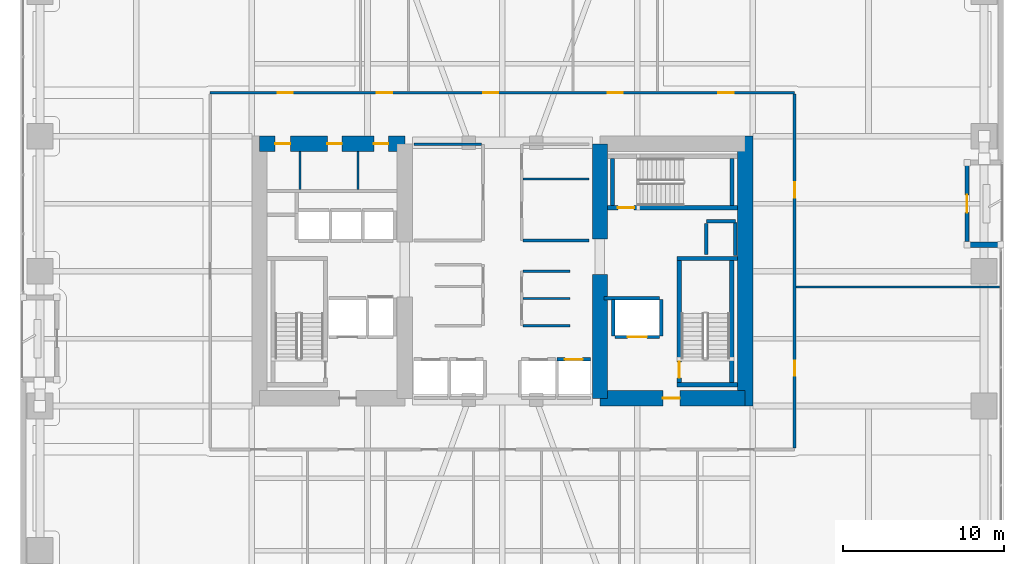
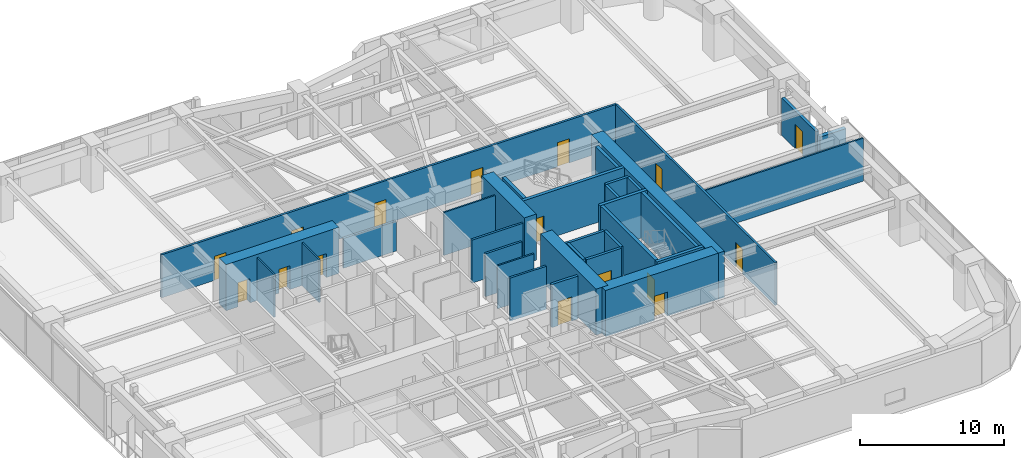
# One storey, part 24 of 29: 33 walls, 16 doors, 16 openings.
"""IFC4 building model written with IfcOpenShell, lengths in metres."""

from ifc_helpers import new_model, si_unit, direction, frame, frame_2d, origin, place, context, subcontext, project, spatial, rectangle, extrude, material, layer, layer_set, type_object, element, fill, save


model = new_model("IFC4")

# Units and contexts
model_context = context("Model", 3, precision=1e-05, world=origin(), true_north=direction((0.0, 1.0)))
body_context = subcontext(model_context, "Body", "Model", "MODEL_VIEW")
ifc_project = project(units=[si_unit("LENGTHUNIT", "METRE"), si_unit("AREAUNIT", "SQUARE_METRE"), si_unit("VOLUMEUNIT", "CUBIC_METRE"), si_unit("PLANEANGLEUNIT", "RADIAN"), si_unit("MASSUNIT", "GRAM", prefix="KILO")], contexts=[model_context])

# Site, building, storey
site_placement = place(None, origin())
site = spatial("IfcSite", under=ifc_project, at=site_placement, CompositionType="ELEMENT")
building_placement = place(site_placement, origin())
building = spatial("IfcBuilding", under=site, at=building_placement, Name="Kiyonajd Concourse Tower", CompositionType="ELEMENT")
storey_placement = place(building_placement, frame((0.0, 0.0, 48.89990234375)))
storey = spatial("IfcBuildingStorey", under=building, at=storey_placement, Name="L13", CompositionType="ELEMENT", Elevation=48.89990234375)

# Wall, openings, doors
ifc_material_1 = material(Name="Concrete C80/95", Category="concrete")
ifc_layer_1 = layer(ifc_material_1, 0.949951171875)
ifc_layer_set_1 = layer_set([ifc_layer_1], Name="Concrete C80/95")
wall_type_1 = type_object("IfcWallType", Name="WL-CORE-950", PredefinedType="SHEAR", material=ifc_layer_set_1)
wall_1_placement = place(storey_placement, frame((32.875, 43.925048828125, 0.0), z_axis=(0.0, 0.0, 1.0), x_axis=(1.0, 0.0, 0.0)))
wall_1 = element("IfcWall", 1, at=wall_1_placement, inside=storey, type_object=wall_type_1, Name="L13 West Core North Shear Wall", PredefinedType="SHEAR", context=body_context, shape_type="SweptSolid", body=[
    extrude(rectangle(XDim=9.050048828125, YDim=0.949951171875, at=frame_2d((4.52490234375, 0.0))), origin(), (0.0, 0.0, 1.0), 3.900146484375),
])
opening_1_placement = place(wall_1_placement, frame((0.97509765625, 0.0, 0.0)))
opening_1 = element("IfcOpeningElement", 2, at=opening_1_placement, cuts=wall_1, Name="Opening DI1", PredefinedType="OPENING", context=body_context, shape_type="SweptSolid", body=[
    extrude(rectangle(XDim=0.949951171875, YDim=2.0400390625, at=frame_2d((0.47509765625, 1.02001953125))), frame((0.0, 0.48486328125, 0.0), z_axis=(0.0, -1.0, 0.0), x_axis=(1.0, 0.0, 0.0)), (0.0, 0.0, 1.0), 0.969970703125),
])
opening_2_placement = place(wall_1_placement, frame((4.22509765625, 0.0, 0.0)))
opening_2 = element("IfcOpeningElement", 3, at=opening_2_placement, cuts=wall_1, Name="Opening DI2", PredefinedType="OPENING", context=body_context, shape_type="SweptSolid", body=[
    extrude(rectangle(XDim=0.89990234375, YDim=2.02001953125, at=frame_2d((0.449951171875, 1.010009765625))), frame((0.0, 0.48486328125, 0.0), z_axis=(0.0, -1.0, 0.0), x_axis=(1.0, 0.0, 0.0)), (0.0, 0.0, 1.0), 0.969970703125),
])
opening_3_placement = place(wall_1_placement, frame((7.125, 0.0, 0.0)))
opening_3 = element("IfcOpeningElement", 4, at=opening_3_placement, cuts=wall_1, Name="Opening DI2", PredefinedType="OPENING", context=body_context, shape_type="SweptSolid", body=[
    extrude(rectangle(XDim=0.89990234375, YDim=2.02001953125, at=frame_2d((0.449951171875, 1.010009765625))), frame((0.0, 0.48486328125, 0.0), z_axis=(0.0, -1.0, 0.0), x_axis=(1.0, 0.0, 0.0)), (0.0, 0.0, 1.0), 0.969970703125),
])
ifc_material_2 = material(Name="Natural Oak Acoustic Timber Veneer", Category="wood")
door_type_1 = type_object("IfcDoorType", Name="DR-INT-900", OperationType="NOTDEFINED", PredefinedType="DOOR", material=ifc_material_2)
door_1_placement = place(opening_2_placement, origin())
door_1 = element("IfcDoor", 5, at=door_1_placement, inside=storey, type_object=door_type_1, Name="L13 Male Restroom Door", OperationType="SINGLE_SWING_RIGHT", OverallHeight=2.02001953125, OverallWidth=0.89990234375, PredefinedType="DOOR", context=body_context, shape_type="SweptSolid", body=[
    extrude(rectangle(XDim=0.89990234375, YDim=2.02001953125, at=frame_2d((0.449951171875, 1.010009765625))), frame((0.0, 0.02490234375, 0.0), z_axis=(0.0, -1.0, 0.0), x_axis=(1.0, 0.0, 0.0)), (0.0, 0.0, 1.0), 0.050048828125),
])
fill(opening_2, door_1)
door_2_placement = place(opening_3_placement, origin())
door_2 = element("IfcDoor", 6, at=door_2_placement, inside=storey, type_object=door_type_1, Name="L13 Female Restroom Door", OperationType="SINGLE_SWING_LEFT", OverallHeight=2.02001953125, OverallWidth=0.89990234375, PredefinedType="DOOR", context=body_context, shape_type="SweptSolid", body=[
    extrude(rectangle(XDim=0.89990234375, YDim=2.02001953125, at=frame_2d((0.449951171875, 1.010009765625))), frame((0.0, 0.02490234375, 0.0), z_axis=(0.0, -1.0, 0.0), x_axis=(1.0, 0.0, 0.0)), (0.0, 0.0, 1.0), 0.050048828125),
])
fill(opening_3, door_2)
door_type_2 = type_object("IfcDoorType", Name="DR-INT-950", OperationType="NOTDEFINED", PredefinedType="DOOR", material=ifc_material_2)
door_3_placement = place(opening_1_placement, origin())
door_3 = element("IfcDoor", 7, at=door_3_placement, inside=storey, type_object=door_type_2, Name="L13 Single User Accessible WC Door", OperationType="SINGLE_SWING_LEFT", OverallHeight=2.0400390625, OverallWidth=0.949951171875, PredefinedType="DOOR", context=body_context, shape_type="SweptSolid", body=[
    extrude(rectangle(XDim=0.949951171875, YDim=2.0400390625, at=frame_2d((0.47509765625, 1.02001953125))), frame((0.0, 0.02490234375, 0.0), z_axis=(0.0, -1.0, 0.0), x_axis=(1.0, 0.0, 0.0)), (0.0, 0.0, 1.0), 0.050048828125),
])
fill(opening_1, door_3)

# Walls
wall_2_placement = place(storey_placement, frame((54.074951171875, 28.074951171875, 0.0), z_axis=(0.0, 0.0, 1.0), x_axis=(0.0, 1.0, 0.0)))
element("IfcWall", 8, at=wall_2_placement, inside=storey, type_object=wall_type_1, Name="L13 East Core Inner South Shear Wall", PredefinedType="SHEAR", context=body_context, shape_type="SweptSolid", body=[
    extrude(rectangle(XDim=7.72509765625, YDim=0.949951171875, at=frame_2d((3.862548828125, 0.0))), origin(), (0.0, 0.0, 1.0), 3.900146484375),
])
wall_3_placement = place(storey_placement, frame((54.074951171875, 38.0, 0.0), z_axis=(0.0, 0.0, 1.0), x_axis=(0.0, 1.0, 0.0)))
element("IfcWall", 9, at=wall_3_placement, inside=storey, type_object=wall_type_1, Name="L13 East Core Inner North Shear Wall", PredefinedType="SHEAR", context=body_context, shape_type="SweptSolid", body=[
    extrude(rectangle(XDim=5.925048828125, YDim=0.949951171875, at=frame_2d((2.96240234375, 0.0))), origin(), (0.0, 0.0, 1.0), 3.900146484375),
])
wall_4_placement = place(storey_placement, frame((63.125, 27.60009765625, 0.0), z_axis=(0.0, 0.0, 1.0), x_axis=(0.0, 1.0, 0.0)))
element("IfcWall", 10, at=wall_4_placement, inside=storey, type_object=wall_type_1, Name="L13 East Core Outer Shear Wall", PredefinedType="SHEAR", context=body_context, shape_type="SweptSolid", body=[
    extrude(rectangle(XDim=16.7998046875, YDim=0.949951171875, at=frame_2d((8.39990234375, 0.0))), origin(), (0.0, 0.0, 1.0), 3.900146484375),
])

# Wall, opening, door
wall_5_placement = place(storey_placement, frame((54.074951171875, 28.074951171875, 0.0), z_axis=(0.0, 0.0, 1.0), x_axis=(1.0, 0.0, 0.0)))
wall_5 = element("IfcWall", 11, at=wall_5_placement, inside=storey, type_object=wall_type_1, Name="L13 East Core South Shear Wall", PredefinedType="SHEAR", context=body_context, shape_type="SweptSolid", body=[
    extrude(rectangle(XDim=9.050048828125, YDim=0.949951171875, at=frame_2d((4.52490234375, 0.0))), origin(), (0.0, 0.0, 1.0), 3.900146484375),
])
opening_4_placement = place(wall_5_placement, frame((3.925048828125, 0.0, 0.0)))
opening_4 = element("IfcOpeningElement", 12, at=opening_4_placement, cuts=wall_5, Name="Opening DF5", PredefinedType="OPENING", context=body_context, shape_type="SweptSolid", body=[
    extrude(rectangle(XDim=1.050048828125, YDim=2.0400390625, at=frame_2d((0.52490234375, 1.02001953125))), frame((0.0, 0.48486328125, 0.0), z_axis=(0.0, -1.0, 0.0), x_axis=(1.0, 0.0, 0.0)), (0.0, 0.0, 1.0), 0.969970703125),
])
ifc_material_3 = material(Name="Brushed Stainless Steel Cab Assembly", Category="steel")
door_type_3 = type_object("IfcDoorType", Name="DR-FD45-1050", OperationType="NOTDEFINED", PredefinedType="DOOR", material=ifc_material_3)
door_4_placement = place(opening_4_placement, origin())
door_4 = element("IfcDoor", 13, at=door_4_placement, inside=storey, type_object=door_type_3, Name="L13 Firefighting Lift Lobby E Smoke Door", OperationType="SINGLE_SWING_RIGHT", OverallHeight=2.0400390625, OverallWidth=1.050048828125, PredefinedType="DOOR", context=body_context, shape_type="SweptSolid", body=[
    extrude(rectangle(XDim=1.050048828125, YDim=2.0400390625, at=frame_2d((0.52490234375, 1.02001953125))), frame((0.0, 0.02490234375, 0.0), z_axis=(0.0, -1.0, 0.0), x_axis=(1.0, 0.0, 0.0)), (0.0, 0.0, 1.0), 0.050048828125),
])
fill(opening_4, door_4)

# Wall
ifc_material_4 = material(Name="Precast concrete C50/60", Category="concrete")
ifc_layer_2 = layer(ifc_material_4, 0.320068359375)
ifc_layer_set_2 = layer_set([ifc_layer_2], Name="Precast concrete C50/60")
wall_type_2 = type_object("IfcWallType", Name="WL-EXT-320", PredefinedType="SOLIDWALL", material=ifc_layer_set_2)
wall_6_placement = place(storey_placement, frame((76.93994140625, 37.639892578125, 0.0), z_axis=(0.0, 0.0, 1.0), x_axis=(1.0, 0.0, 0.0)))
element("IfcWall", 14, at=wall_6_placement, inside=storey, type_object=wall_type_2, Name="L13 Exterior Concrete Frame Wall 23", PredefinedType="SOLIDWALL", context=body_context, shape_type="SweptSolid", body=[
    extrude(rectangle(XDim=2.10009765625, YDim=0.320068359375, at=frame_2d((1.050048828125, 0.0))), origin(), (0.0, 0.0, 1.0), 2.875),
])

# Wall, opening, door
ifc_layer_3 = layer(ifc_material_4, 0.239990234375)
ifc_layer_set_3 = layer_set([ifc_layer_3], Name="Precast concrete C50/60")
wall_type_3 = type_object("IfcWallType", Name="WL-LOG-240", PredefinedType="SOLIDWALL", material=ifc_layer_set_3)
wall_7_placement = place(storey_placement, frame((76.93994140625, 42.56494140625, 0.0), z_axis=(0.0, 0.0, 1.0), x_axis=(0.0, -1.0, 0.0)))
wall_7 = element("IfcWall", 15, at=wall_7_placement, inside=storey, type_object=wall_type_3, Name="L13 Recessed Loggia Thermal Wall LOG-E", PredefinedType="SOLIDWALL", context=body_context, shape_type="SweptSolid", body=[
    extrude(rectangle(XDim=4.72998046875, YDim=0.239990234375, at=frame_2d((2.364990234375, 0.0))), origin(), (0.0, 0.0, 1.0), 3.162109375),
])
opening_5_placement = place(wall_7_placement, frame((1.81494140625, 0.0, 0.0)))
opening_5 = element("IfcOpeningElement", 16, at=opening_5_placement, cuts=wall_7, Name="Opening DL2", PredefinedType="OPENING", context=body_context, shape_type="SweptSolid", body=[
    extrude(rectangle(XDim=1.10009765625, YDim=2.0400390625, at=frame_2d((0.550048828125, 1.02001953125))), frame((0.0, 0.1298828125, 0.0), z_axis=(0.0, -1.0, 0.0), x_axis=(1.0, 0.0, 0.0)), (0.0, 0.0, 1.0), 0.260009765625),
])
ifc_material_5 = material(Name="Thermally Broken Anodised Aluminium", Category="aluminium")
door_type_4 = type_object("IfcDoorType", Name="DR-LOG-1100", OperationType="NOTDEFINED", PredefinedType="DOOR", material=ifc_material_5)
door_5_placement = place(opening_5_placement, origin())
door_5 = element("IfcDoor", 17, at=door_5_placement, inside=storey, type_object=door_type_4, Name="L13 Engawa Loggia Access Door LOG-E", OperationType="SINGLE_SWING_LEFT", OverallHeight=2.0400390625, OverallWidth=1.10009765625, PredefinedType="DOOR", context=body_context, shape_type="SweptSolid", body=[
    extrude(rectangle(XDim=1.10009765625, YDim=2.0400390625, at=frame_2d((0.550048828125, 1.02001953125))), frame((0.0, 0.02490234375, 0.0), z_axis=(0.0, -1.0, 0.0), x_axis=(1.0, 0.0, 0.0)), (0.0, 0.0, 1.0), 0.050048828125),
])
fill(opening_5, door_5)

# Walls
ifc_material_6 = material(Name="Gypsum Board on Cold-Formed Steel Stud", Category="steel")
ifc_layer_4 = layer(ifc_material_6, 0.125)
ifc_layer_set_4 = layer_set([ifc_layer_4], Name="Gypsum Board on Cold-Formed Steel Stud")
wall_type_4 = type_object("IfcWallType", Name="WL-PART-125", PredefinedType="PARTITIONING", material=ifc_layer_set_4)
for number, where, z_axis, x_axis, name in (
    (18, (35.39990234375, 41.094970703125, 0.0), (0.0, 0.0, 1.0), (0.0, 1.0, 0.0), "L13 Interior Partition Wall"),
    (19, (39.0, 41.094970703125, 0.0), (0.0, 0.0, 1.0), (0.0, 1.0, 0.0), "L13 Interior Partition Wall"),
):
    element("IfcWall", number, at=place(storey_placement, frame(where, z_axis=z_axis, x_axis=x_axis)), inside=storey, type_object=wall_type_4, Name=name, PredefinedType="PARTITIONING", context=body_context, shape_type="SweptSolid", body=[
        extrude(rectangle(XDim=2.35498046875, YDim=0.125, at=frame_2d((1.177490234375, 0.0))), origin(), (0.0, 0.0, 1.0), 3.64013671875),
    ])
wall_8_placement = place(storey_placement, frame((49.287109375, 34.300048828125, 0.0), z_axis=(0.0, 0.0, 1.0), x_axis=(1.0, 0.0, 0.0)))
element("IfcWall", 20, at=wall_8_placement, inside=storey, type_object=wall_type_4, Name="L13 Interior Partition Wall", PredefinedType="PARTITIONING", context=body_context, shape_type="SweptSolid", body=[
    extrude(rectangle(XDim=2.912841796875, YDim=0.125, at=frame_2d((1.45654296875, 0.0))), origin(), (0.0, 0.0, 1.0), 3.64013671875),
])
wall_9_placement = place(storey_placement, frame((49.287109375, 41.739990234375, 0.0), z_axis=(0.0, 0.0, 1.0), x_axis=(1.0, 0.0, 0.0)))
element("IfcWall", 21, at=wall_9_placement, inside=storey, type_object=wall_type_4, Name="L13 Interior Partition Wall", PredefinedType="PARTITIONING", context=body_context, shape_type="SweptSolid", body=[
    extrude(rectangle(XDim=4.11279296875, YDim=0.125, at=frame_2d((2.056396484375, 0.0))), origin(), (0.0, 0.0, 1.0), 3.64013671875),
])
wall_10_placement = place(storey_placement, frame((66.287109375, 35.0, 0.0), z_axis=(0.0, 0.0, 1.0), x_axis=(1.0, 0.0, 0.0)))
element("IfcWall", 22, at=wall_10_placement, inside=storey, type_object=wall_type_4, Name="L13 Interior Partition Wall", PredefinedType="PARTITIONING", context=body_context, shape_type="SweptSolid", body=[
    extrude(rectangle(XDim=12.66796875, YDim=0.125, at=frame_2d((6.333984375, 0.0))), origin(), (0.0, 0.0, 1.0), 3.64013671875),
])
ifc_layer_5 = layer(ifc_material_6, 0.2099609375)
ifc_layer_set_5 = layer_set([ifc_layer_5], Name="Gypsum Board on Cold-Formed Steel Stud")
wall_type_5 = type_object("IfcWallType", Name="WL-SHAFT-210", PredefinedType="PARTITIONING", material=ifc_layer_set_5)
wall_11_placement = place(storey_placement, frame((60.719970703125, 39.10009765625, 0.0), z_axis=(0.0, 0.0, 1.0), x_axis=(1.0, 0.0, 0.0)))
element("IfcWall", 23, at=wall_11_placement, inside=storey, type_object=wall_type_5, Name="L13 Shaft Enclosure Wall", PredefinedType="PARTITIONING", context=body_context, shape_type="SweptSolid", body=[
    extrude(rectangle(XDim=1.800048828125, YDim=0.2099609375, at=frame_2d((0.89990234375, 0.0))), origin(), (0.0, 0.0, 1.0), 3.64013671875),
])
wall_12_placement = place(storey_placement, frame((60.699951171875, 37.02001953125, 0.0), z_axis=(0.0, 0.0, 1.0), x_axis=(0.0, 1.0, 0.0)))
element("IfcWall", 24, at=wall_12_placement, inside=storey, type_object=wall_type_5, Name="L13 Shaft Enclosure Wall", PredefinedType="PARTITIONING", context=body_context, shape_type="SweptSolid", body=[
    extrude(rectangle(XDim=1.9599609375, YDim=0.2099609375, at=frame_2d((0.97998046875, 0.0))), origin(), (0.0, 0.0, 1.0), 3.64013671875),
])
wall_13_placement = place(storey_placement, frame((62.5, 36.97998046875, 0.0), z_axis=(0.0, 0.0, 1.0), x_axis=(0.0, 1.0, 0.0)))
element("IfcWall", 25, at=wall_13_placement, inside=storey, type_object=wall_type_5, Name="L13 Shaft Enclosure Wall", PredefinedType="PARTITIONING", context=body_context, shape_type="SweptSolid", body=[
    extrude(rectangle(XDim=2.0400390625, YDim=0.2099609375, at=frame_2d((1.02001953125, 0.0))), origin(), (0.0, 0.0, 1.0), 3.64013671875),
])

# Wall, opening, door
wall_14_placement = place(storey_placement, frame((55.0, 31.89990234375, 0.0), z_axis=(0.0, 0.0, 1.0), x_axis=(1.0, 0.0, 0.0)))
wall_14 = element("IfcWall", 26, at=wall_14_placement, inside=storey, type_object=wall_type_5, Name="L13 Shaft Enclosure Wall", PredefinedType="PARTITIONING", context=body_context, shape_type="SweptSolid", body=[
    extrude(rectangle(XDim=2.800048828125, YDim=0.2099609375, at=frame_2d((1.39990234375, 0.0))), origin(), (0.0, 0.0, 1.0), 3.64013671875),
])
opening_6_placement = place(wall_14_placement, frame((0.800048828125, 0.0, 0.0)))
opening_6 = element("IfcOpeningElement", 27, at=opening_6_placement, cuts=wall_14, Name="Opening LD2", PredefinedType="OPENING", context=body_context, shape_type="SweptSolid", body=[
    extrude(rectangle(XDim=1.199951171875, YDim=2.0400390625, at=frame_2d((0.60009765625, 1.02001953125))), frame((0.0, 0.114990234375, 0.0), z_axis=(0.0, -1.0, 0.0), x_axis=(1.0, 0.0, 0.0)), (0.0, 0.0, 1.0), 0.22998046875),
])
door_type_5 = type_object("IfcDoorType", Name="DR-LD-1200", OperationType="DOUBLE_DOOR_SLIDING", PredefinedType="DOOR", material=ifc_material_3)
door_6_placement = place(opening_6_placement, origin())
door_6 = element("IfcDoor", 28, at=door_6_placement, inside=storey, type_object=door_type_5, Name="L13 Lift FFL2 Sliding Landing Door", OperationType="DOUBLE_DOOR_SLIDING", OverallHeight=2.0400390625, OverallWidth=1.199951171875, PredefinedType="DOOR", context=body_context, shape_type="SweptSolid", body=[
    extrude(rectangle(XDim=1.199951171875, YDim=2.0400390625, at=frame_2d((0.60009765625, 1.02001953125))), frame((0.0, 0.02490234375, 0.0), z_axis=(0.0, -1.0, 0.0), x_axis=(1.0, 0.0, 0.0)), (0.0, 0.0, 1.0), 0.050048828125),
])
fill(opening_6, door_6)

# Walls
wall_15_placement = place(storey_placement, frame((54.320068359375, 34.300048828125, 0.0), z_axis=(0.0, 0.0, 1.0), x_axis=(1.0, 0.0, 0.0)))
element("IfcWall", 29, at=wall_15_placement, inside=storey, type_object=wall_type_5, Name="L13 Shaft Enclosure Wall", PredefinedType="PARTITIONING", context=body_context, shape_type="SweptSolid", body=[
    extrude(rectangle(XDim=3.47998046875, YDim=0.2099609375, at=frame_2d((1.739990234375, 0.0))), origin(), (0.0, 0.0, 1.0), 3.64013671875),
])
for number, where, z_axis, x_axis, name in (
    (30, (54.89990234375, 31.9599609375, 0.0), (0.0, 0.0, 1.0), (0.0, 1.0, 0.0), "L13 Shaft Enclosure Wall"),
    (31, (57.89990234375, 31.9599609375, 0.0), (0.0, 0.0, 1.0), (0.0, 1.0, 0.0), "L13 Shaft Enclosure Wall"),
):
    element("IfcWall", number, at=place(storey_placement, frame(where, z_axis=z_axis, x_axis=x_axis)), inside=storey, type_object=wall_type_5, Name=name, PredefinedType="PARTITIONING", context=body_context, shape_type="SweptSolid", body=[
        extrude(rectangle(XDim=2.280029296875, YDim=0.2099609375, at=frame_2d((1.14013671875, 0.0))), origin(), (0.0, 0.0, 1.0), 3.64013671875),
    ])

# Wall, opening, door
wall_16_placement = place(storey_placement, frame((51.39990234375, 30.5, 0.0), z_axis=(0.0, 0.0, 1.0), x_axis=(1.0, 0.0, 0.0)))
wall_16 = element("IfcWall", 32, at=wall_16_placement, inside=storey, type_object=wall_type_5, Name="L13 Shaft Enclosure Wall", PredefinedType="PARTITIONING", context=body_context, shape_type="SweptSolid", body=[
    extrude(rectangle(XDim=2.10009765625, YDim=0.2099609375, at=frame_2d((1.050048828125, 0.0))), origin(), (0.0, 0.0, 1.0), 3.64013671875),
])
opening_7_placement = place(wall_16_placement, frame((0.5, 0.0, 0.0)))
opening_7 = element("IfcOpeningElement", 33, at=opening_7_placement, cuts=wall_16, Name="Opening LD1", PredefinedType="OPENING", context=body_context, shape_type="SweptSolid", body=[
    extrude(rectangle(XDim=1.10009765625, YDim=2.0400390625, at=frame_2d((0.550048828125, 1.02001953125))), frame((0.0, 0.114990234375, 0.0), z_axis=(0.0, -1.0, 0.0), x_axis=(1.0, 0.0, 0.0)), (0.0, 0.0, 1.0), 0.22998046875),
])
door_type_6 = type_object("IfcDoorType", Name="DR-LD-1100", OperationType="DOUBLE_DOOR_SLIDING", PredefinedType="DOOR", material=ifc_material_3)
door_7_placement = place(opening_7_placement, origin())
door_7 = element("IfcDoor", 34, at=door_7_placement, inside=storey, type_object=door_type_6, Name="L13 Lift PL-L4 Sliding Landing Door", OperationType="DOUBLE_DOOR_SLIDING", OverallHeight=2.0400390625, OverallWidth=1.10009765625, PredefinedType="DOOR", context=body_context, shape_type="SweptSolid", body=[
    extrude(rectangle(XDim=1.10009765625, YDim=2.0400390625, at=frame_2d((0.550048828125, 1.02001953125))), frame((0.0, 0.02490234375, 0.0), z_axis=(0.0, -1.0, 0.0), x_axis=(1.0, 0.0, 0.0)), (0.0, 0.0, 1.0), 0.050048828125),
])
fill(opening_7, door_7)

# Walls
ifc_layer_6 = layer(ifc_material_6, 0.169921875)
ifc_layer_set_6 = layer_set([ifc_layer_6], Name="Gypsum Board on Cold-Formed Steel Stud")
wall_type_6 = type_object("IfcWallType", Name="WL-SMK-170", PredefinedType="PARTITIONING", material=ifc_layer_set_6)
for number, where, z_axis, x_axis, name in (
    (35, (49.287109375, 32.60009765625, 0.0), (0.0, 0.0, 1.0), (1.0, 0.0, 0.0), "L13 Interior Partition Wall"),
    (36, (49.287109375, 36.0, 0.0), (0.0, 0.0, 1.0), (1.0, 0.0, 0.0), "L13 Interior Partition Wall"),
):
    element("IfcWall", number, at=place(storey_placement, frame(where, z_axis=z_axis, x_axis=x_axis)), inside=storey, type_object=wall_type_6, Name=name, PredefinedType="PARTITIONING", context=body_context, shape_type="SweptSolid", body=[
        extrude(rectangle(XDim=2.912841796875, YDim=0.169921875, at=frame_2d((1.45654296875, 0.0))), origin(), (0.0, 0.0, 1.0), 3.64013671875),
    ])
wall_17_placement = place(storey_placement, frame((42.5, 43.89990234375, 0.0), z_axis=(0.0, 0.0, 1.0), x_axis=(1.0, 0.0, 0.0)))
element("IfcWall", 37, at=wall_17_placement, inside=storey, type_object=wall_type_6, Name="L13 Interior Partition Wall", PredefinedType="PARTITIONING", context=body_context, shape_type="SweptSolid", body=[
    extrude(rectangle(XDim=4.212890625, YDim=0.169921875, at=frame_2d((2.1064453125, 0.0))), origin(), (0.0, 0.0, 1.0), 2.525146484375),
])
wall_18_placement = place(storey_placement, frame((49.287109375, 37.89990234375, 0.0), z_axis=(0.0, 0.0, 1.0), x_axis=(1.0, 0.0, 0.0)))
element("IfcWall", 38, at=wall_18_placement, inside=storey, type_object=wall_type_6, Name="L13 Interior Partition Wall", PredefinedType="PARTITIONING", context=body_context, shape_type="SweptSolid", body=[
    extrude(rectangle(XDim=4.11279296875, YDim=0.169921875, at=frame_2d((2.056396484375, 0.0))), origin(), (0.0, 0.0, 1.0), 3.64013671875),
])

# Wall, openings, doors
wall_19_placement = place(storey_placement, frame((29.800048828125, 47.110107421875, 0.0), z_axis=(0.0, 0.0, 1.0), x_axis=(1.0, 0.0, 0.0)))
wall_19 = element("IfcWall", 39, at=wall_19_placement, inside=storey, type_object=wall_type_6, Name="L13 Interior Partition Wall", PredefinedType="PARTITIONING", context=body_context, shape_type="SweptSolid", body=[
    extrude(rectangle(XDim=36.39990234375, YDim=0.169921875, at=frame_2d((18.199951171875, 0.0))), origin(), (0.0, 0.0, 1.0), 3.64013671875),
])
opening_8_placement = place(wall_19_placement, frame((4.205078125, 0.0, 0.0)))
opening_8 = element("IfcOpeningElement", 40, at=opening_8_placement, cuts=wall_19, Name="Opening DI1", PredefinedType="OPENING", context=body_context, shape_type="SweptSolid", body=[
    extrude(rectangle(XDim=0.949951171875, YDim=2.0400390625, at=frame_2d((0.47509765625, 1.02001953125))), frame((0.0, 0.094970703125, 0.0), z_axis=(0.0, -1.0, 0.0), x_axis=(1.0, 0.0, 0.0)), (0.0, 0.0, 1.0), 0.18994140625),
])
opening_9_placement = place(wall_19_placement, frame((10.385009765625, 0.0, 0.0)))
opening_9 = element("IfcOpeningElement", 41, at=opening_9_placement, cuts=wall_19, Name="Opening DI1", PredefinedType="OPENING", context=body_context, shape_type="SweptSolid", body=[
    extrude(rectangle(XDim=0.949951171875, YDim=2.0400390625, at=frame_2d((0.47509765625, 1.02001953125))), frame((0.0, 0.094970703125, 0.0), z_axis=(0.0, -1.0, 0.0), x_axis=(1.0, 0.0, 0.0)), (0.0, 0.0, 1.0), 0.18994140625),
])
opening_10_placement = place(wall_19_placement, frame((17.0048828125, 0.0, 0.0)))
opening_10 = element("IfcOpeningElement", 42, at=opening_10_placement, cuts=wall_19, Name="Opening DI1", PredefinedType="OPENING", context=body_context, shape_type="SweptSolid", body=[
    extrude(rectangle(XDim=0.949951171875, YDim=2.0400390625, at=frame_2d((0.47509765625, 1.02001953125))), frame((0.0, 0.094970703125, 0.0), z_axis=(0.0, -1.0, 0.0), x_axis=(1.0, 0.0, 0.0)), (0.0, 0.0, 1.0), 0.18994140625),
])
opening_11_placement = place(wall_19_placement, frame((24.7548828125, 0.0, 0.0)))
opening_11 = element("IfcOpeningElement", 43, at=opening_11_placement, cuts=wall_19, Name="Opening DI1", PredefinedType="OPENING", context=body_context, shape_type="SweptSolid", body=[
    extrude(rectangle(XDim=0.949951171875, YDim=2.0400390625, at=frame_2d((0.47509765625, 1.02001953125))), frame((0.0, 0.094970703125, 0.0), z_axis=(0.0, -1.0, 0.0), x_axis=(1.0, 0.0, 0.0)), (0.0, 0.0, 1.0), 0.18994140625),
])
opening_12_placement = place(wall_19_placement, frame((31.655029296875, 0.0, 0.0)))
opening_12 = element("IfcOpeningElement", 44, at=opening_12_placement, cuts=wall_19, Name="Opening DI1", PredefinedType="OPENING", context=body_context, shape_type="SweptSolid", body=[
    extrude(rectangle(XDim=0.949951171875, YDim=2.0400390625, at=frame_2d((0.47509765625, 1.02001953125))), frame((0.0, 0.094970703125, 0.0), z_axis=(0.0, -1.0, 0.0), x_axis=(1.0, 0.0, 0.0)), (0.0, 0.0, 1.0), 0.18994140625),
])
door_8_placement = place(opening_8_placement, origin())
door_8 = element("IfcDoor", 45, at=door_8_placement, inside=storey, type_object=door_type_2, Name="L13 Interior Door", OperationType="SINGLE_SWING_LEFT", OverallHeight=2.0400390625, OverallWidth=0.949951171875, PredefinedType="DOOR", context=body_context, shape_type="SweptSolid", body=[
    extrude(rectangle(XDim=0.949951171875, YDim=2.0400390625, at=frame_2d((0.47509765625, 1.02001953125))), frame((0.0, 0.02490234375, 0.0), z_axis=(0.0, -1.0, 0.0), x_axis=(1.0, 0.0, 0.0)), (0.0, 0.0, 1.0), 0.050048828125),
])
fill(opening_8, door_8)
door_9_placement = place(opening_9_placement, origin())
door_9 = element("IfcDoor", 46, at=door_9_placement, inside=storey, type_object=door_type_2, Name="L13 Interior Door", OperationType="SINGLE_SWING_RIGHT", OverallHeight=2.0400390625, OverallWidth=0.949951171875, PredefinedType="DOOR", context=body_context, shape_type="SweptSolid", body=[
    extrude(rectangle(XDim=0.949951171875, YDim=2.0400390625, at=frame_2d((0.47509765625, 1.02001953125))), frame((0.0, 0.02490234375, 0.0), z_axis=(0.0, -1.0, 0.0), x_axis=(1.0, 0.0, 0.0)), (0.0, 0.0, 1.0), 0.050048828125),
])
fill(opening_9, door_9)
door_10_placement = place(opening_10_placement, origin())
door_10 = element("IfcDoor", 47, at=door_10_placement, inside=storey, type_object=door_type_2, Name="L13 Interior Door", OperationType="SINGLE_SWING_LEFT", OverallHeight=2.0400390625, OverallWidth=0.949951171875, PredefinedType="DOOR", context=body_context, shape_type="SweptSolid", body=[
    extrude(rectangle(XDim=0.949951171875, YDim=2.0400390625, at=frame_2d((0.47509765625, 1.02001953125))), frame((0.0, 0.02490234375, 0.0), z_axis=(0.0, -1.0, 0.0), x_axis=(1.0, 0.0, 0.0)), (0.0, 0.0, 1.0), 0.050048828125),
])
fill(opening_10, door_10)
door_11_placement = place(opening_11_placement, origin())
door_11 = element("IfcDoor", 48, at=door_11_placement, inside=storey, type_object=door_type_2, Name="L13 Interior Door", OperationType="SINGLE_SWING_LEFT", OverallHeight=2.0400390625, OverallWidth=0.949951171875, PredefinedType="DOOR", context=body_context, shape_type="SweptSolid", body=[
    extrude(rectangle(XDim=0.949951171875, YDim=2.0400390625, at=frame_2d((0.47509765625, 1.02001953125))), frame((0.0, 0.02490234375, 0.0), z_axis=(0.0, -1.0, 0.0), x_axis=(1.0, 0.0, 0.0)), (0.0, 0.0, 1.0), 0.050048828125),
])
fill(opening_11, door_11)
door_12_placement = place(opening_12_placement, origin())
door_12 = element("IfcDoor", 49, at=door_12_placement, inside=storey, type_object=door_type_2, Name="L13 Interior Door", OperationType="SINGLE_SWING_RIGHT", OverallHeight=2.0400390625, OverallWidth=0.949951171875, PredefinedType="DOOR", context=body_context, shape_type="SweptSolid", body=[
    extrude(rectangle(XDim=0.949951171875, YDim=2.0400390625, at=frame_2d((0.47509765625, 1.02001953125))), frame((0.0, 0.02490234375, 0.0), z_axis=(0.0, -1.0, 0.0), x_axis=(1.0, 0.0, 0.0)), (0.0, 0.0, 1.0), 0.050048828125),
])
fill(opening_12, door_12)

wall_20_placement = place(storey_placement, frame((66.199951171875, 24.97705078125, 0.0), z_axis=(0.0, 0.0, 1.0), x_axis=(0.0, 1.0, 0.0)))
wall_20 = element("IfcWall", 50, at=wall_20_placement, inside=storey, type_object=wall_type_6, Name="L13 Interior Partition Wall", PredefinedType="PARTITIONING", context=body_context, shape_type="SweptSolid", body=[
    extrude(rectangle(XDim=22.0458984375, YDim=0.169921875, at=frame_2d((11.02294921875, 0.0))), origin(), (0.0, 0.0, 1.0), 3.64013671875),
])
opening_13_placement = place(wall_20_placement, frame((4.492919921875, 0.0, 0.0)))
opening_13 = element("IfcOpeningElement", 51, at=opening_13_placement, cuts=wall_20, Name="Opening DI1", PredefinedType="OPENING", context=body_context, shape_type="SweptSolid", body=[
    extrude(rectangle(XDim=0.949951171875, YDim=2.0400390625, at=frame_2d((0.47509765625, 1.02001953125))), frame((0.0, 0.094970703125, 0.0), z_axis=(0.0, -1.0, 0.0), x_axis=(1.0, 0.0, 0.0)), (0.0, 0.0, 1.0), 0.18994140625),
])
opening_14_placement = place(wall_20_placement, frame((15.60302734375, 0.0, 0.0)))
opening_14 = element("IfcOpeningElement", 52, at=opening_14_placement, cuts=wall_20, Name="Opening DI1", PredefinedType="OPENING", context=body_context, shape_type="SweptSolid", body=[
    extrude(rectangle(XDim=0.949951171875, YDim=2.0400390625, at=frame_2d((0.47509765625, 1.02001953125))), frame((0.0, 0.094970703125, 0.0), z_axis=(0.0, -1.0, 0.0), x_axis=(1.0, 0.0, 0.0)), (0.0, 0.0, 1.0), 0.18994140625),
])
door_13_placement = place(opening_13_placement, origin())
door_13 = element("IfcDoor", 53, at=door_13_placement, inside=storey, type_object=door_type_2, Name="L13 Interior Door", OperationType="SINGLE_SWING_RIGHT", OverallHeight=2.0400390625, OverallWidth=0.949951171875, PredefinedType="DOOR", context=body_context, shape_type="SweptSolid", body=[
    extrude(rectangle(XDim=0.949951171875, YDim=2.0400390625, at=frame_2d((0.47509765625, 1.02001953125))), frame((0.0, 0.02490234375, 0.0), z_axis=(0.0, -1.0, 0.0), x_axis=(1.0, 0.0, 0.0)), (0.0, 0.0, 1.0), 0.050048828125),
])
fill(opening_13, door_13)
door_14_placement = place(opening_14_placement, origin())
door_14 = element("IfcDoor", 54, at=door_14_placement, inside=storey, type_object=door_type_2, Name="L13 Interior Door", OperationType="SINGLE_SWING_LEFT", OverallHeight=2.0400390625, OverallWidth=0.949951171875, PredefinedType="DOOR", context=body_context, shape_type="SweptSolid", body=[
    extrude(rectangle(XDim=0.949951171875, YDim=2.0400390625, at=frame_2d((0.47509765625, 1.02001953125))), frame((0.0, 0.02490234375, 0.0), z_axis=(0.0, -1.0, 0.0), x_axis=(1.0, 0.0, 0.0)), (0.0, 0.0, 1.0), 0.050048828125),
])
fill(opening_14, door_14)

# Walls
ifc_material_7 = material(Name="Concrete C50/60", Category="concrete")
ifc_layer_7 = layer(ifc_material_7, 0.260009765625)
ifc_layer_set_7 = layer_set([ifc_layer_7], Name="Concrete C50/60")
wall_type_7 = type_object("IfcWallType", Name="WL-STAIR-260", PredefinedType="SHEAR", material=ifc_layer_set_7)
for number, where, z_axis, x_axis, name in (
    (55, (58.889892578125, 28.919921875, 0.0), (0.0, 0.0, 1.0), (1.0, 0.0, 0.0), "L13 Stair ST2 Structural South Wall"),
    (56, (58.889892578125, 36.780029296875, 0.0), (0.0, 0.0, 1.0), (1.0, 0.0, 0.0), "L13 Stair ST2 Structural North Wall"),
):
    element("IfcWall", number, at=place(storey_placement, frame(where, z_axis=z_axis, x_axis=x_axis)), inside=storey, type_object=wall_type_7, Name=name, PredefinedType="SHEAR", context=body_context, shape_type="SweptSolid", body=[
        extrude(rectangle(XDim=3.760009765625, YDim=0.260009765625, at=frame_2d((1.8798828125, 0.0))), origin(), (0.0, 0.0, 1.0), 3.900146484375),
    ])

# Wall, opening, door
wall_21_placement = place(storey_placement, frame((59.02001953125, 29.050048828125, 0.0), z_axis=(0.0, 0.0, 1.0), x_axis=(0.0, 1.0, 0.0)))
wall_21 = element("IfcWall", 57, at=wall_21_placement, inside=storey, type_object=wall_type_7, Name="L13 Stair ST2 Structural West Wall", PredefinedType="SHEAR", context=body_context, shape_type="SweptSolid", body=[
    extrude(rectangle(XDim=7.599853515625, YDim=0.260009765625, at=frame_2d((3.7998046875, 0.0))), origin(), (0.0, 0.0, 1.0), 3.900146484375),
])
opening_15_placement = place(wall_21_placement, frame((0.300048828125, 0.0, 0.0)))
opening_15 = element("IfcOpeningElement", 58, at=opening_15_placement, cuts=wall_21, Name="Opening DF1", PredefinedType="OPENING", context=body_context, shape_type="SweptSolid", body=[
    extrude(rectangle(XDim=1.0, YDim=2.0400390625, at=frame_2d((0.5, 1.02001953125))), frame((0.0, 0.139892578125, 0.0), z_axis=(0.0, -1.0, 0.0), x_axis=(1.0, 0.0, 0.0)), (0.0, 0.0, 1.0), 0.280029296875),
])
door_type_7 = type_object("IfcDoorType", Name="DR-FD90-1000", OperationType="NOTDEFINED", PredefinedType="DOOR", material=ifc_material_3)
door_15_placement = place(opening_15_placement, origin())
door_15 = element("IfcDoor", 59, at=door_15_placement, inside=storey, type_object=door_type_7, Name="L13 Stair ST2 FSAE Door", OperationType="SINGLE_SWING_RIGHT", OverallHeight=2.0400390625, OverallWidth=1.0, PredefinedType="DOOR", context=body_context, shape_type="SweptSolid", body=[
    extrude(rectangle(XDim=1.0, YDim=2.0400390625, at=frame_2d((0.5, 1.02001953125))), frame((0.0, 0.02490234375, 0.0), z_axis=(0.0, -1.0, 0.0), x_axis=(1.0, 0.0, 0.0)), (0.0, 0.0, 1.0), 0.050048828125),
])
fill(opening_15, door_15)

# Wall
wall_22_placement = place(storey_placement, frame((62.280029296875, 29.050048828125, 0.0), z_axis=(0.0, 0.0, 1.0), x_axis=(0.0, 1.0, 0.0)))
element("IfcWall", 60, at=wall_22_placement, inside=storey, type_object=wall_type_7, Name="L13 Stair ST2 Structural East Wall", PredefinedType="SHEAR", context=body_context, shape_type="SweptSolid", body=[
    extrude(rectangle(XDim=7.599853515625, YDim=0.260009765625, at=frame_2d((3.7998046875, 0.0))), origin(), (0.0, 0.0, 1.0), 3.900146484375),
])

# Wall, opening, door
wall_23_placement = place(storey_placement, frame((54.550048828125, 39.949951171875, 0.0), z_axis=(0.0, 0.0, 1.0), x_axis=(1.0, 0.0, 0.0)))
wall_23 = element("IfcWall", 61, at=wall_23_placement, inside=storey, type_object=wall_type_7, Name="L13 Stair ST3 Structural South Wall", PredefinedType="SHEAR", context=body_context, shape_type="SweptSolid", body=[
    extrude(rectangle(XDim=8.099853515625, YDim=0.260009765625, at=frame_2d((4.0498046875, 0.0))), origin(), (0.0, 0.0, 1.0), 3.900146484375),
])
opening_16_placement = place(wall_23_placement, frame((0.64990234375, 0.0, 0.0)))
opening_16 = element("IfcOpeningElement", 62, at=opening_16_placement, cuts=wall_23, Name="Opening DF1", PredefinedType="OPENING", context=body_context, shape_type="SweptSolid", body=[
    extrude(rectangle(XDim=1.0, YDim=2.0400390625, at=frame_2d((0.5, 1.02001953125))), frame((0.0, 0.139892578125, 0.0), z_axis=(0.0, -1.0, 0.0), x_axis=(1.0, 0.0, 0.0)), (0.0, 0.0, 1.0), 0.280029296875),
])
door_16_placement = place(opening_16_placement, origin())
door_16 = element("IfcDoor", 63, at=door_16_placement, inside=storey, type_object=door_type_7, Name="L13 Stair ST3 Enclosure Door", OperationType="SINGLE_SWING_LEFT", OverallHeight=2.0400390625, OverallWidth=1.0, PredefinedType="DOOR", context=body_context, shape_type="SweptSolid", body=[
    extrude(rectangle(XDim=1.0, YDim=2.0400390625, at=frame_2d((0.5, 1.02001953125))), frame((0.0, 0.02490234375, 0.0), z_axis=(0.0, -1.0, 0.0), x_axis=(1.0, 0.0, 0.0)), (0.0, 0.0, 1.0), 0.050048828125),
])
fill(opening_16, door_16)

# Walls
for number, where, z_axis, x_axis, name in (
    (64, (54.85009765625, 40.080078125, 0.0), (0.0, 0.0, 1.0), (0.0, 1.0, 0.0), "L13 Stair ST3 Structural West Wall"),
    (65, (62.31005859375, 40.080078125, 0.0), (0.0, 0.0, 1.0), (0.0, 1.0, 0.0), "L13 Stair ST3 Structural East Wall"),
):
    element("IfcWall", number, at=place(storey_placement, frame(where, z_axis=z_axis, x_axis=x_axis)), inside=storey, type_object=wall_type_7, Name=name, PredefinedType="SHEAR", context=body_context, shape_type="SweptSolid", body=[
        extrude(rectangle(XDim=2.93994140625, YDim=0.260009765625, at=frame_2d((1.469970703125, 0.0))), origin(), (0.0, 0.0, 1.0), 3.900146484375),
    ])

save(model, "model.ifc")
